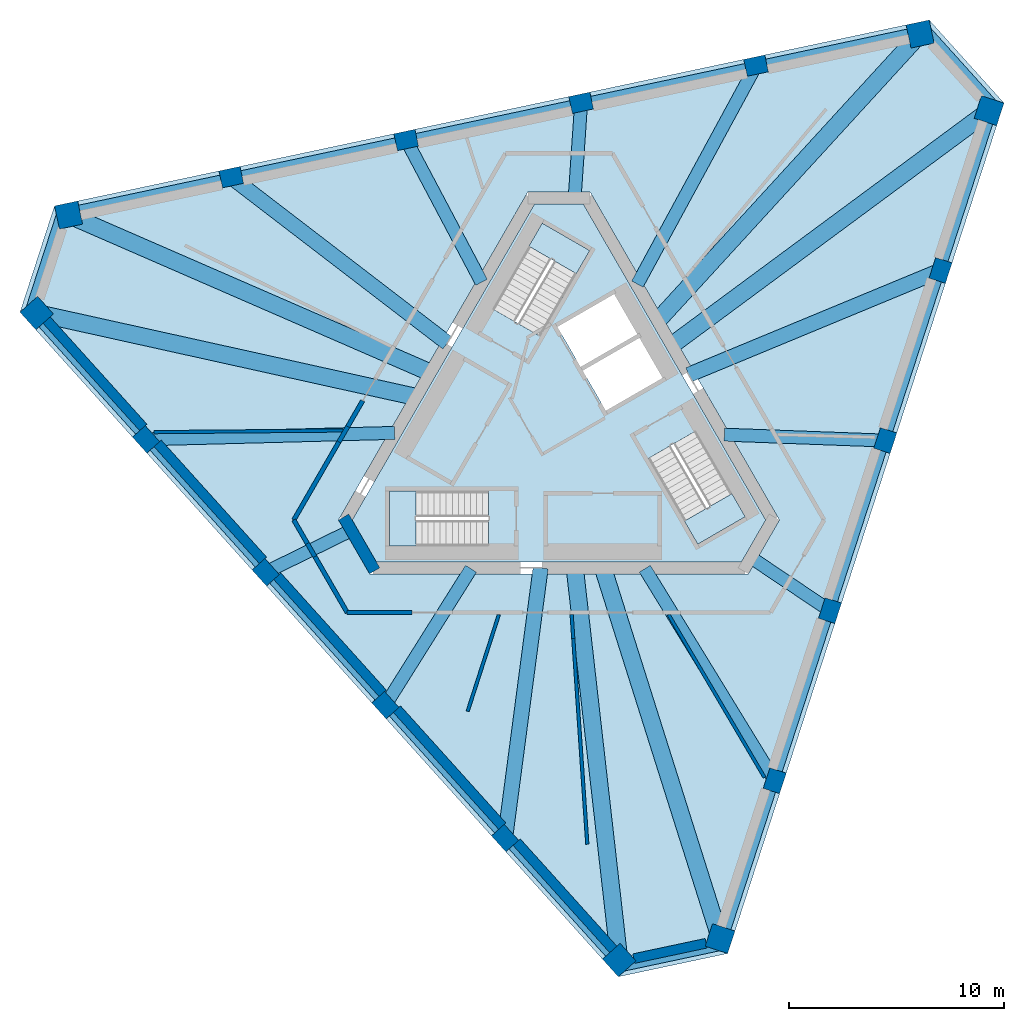
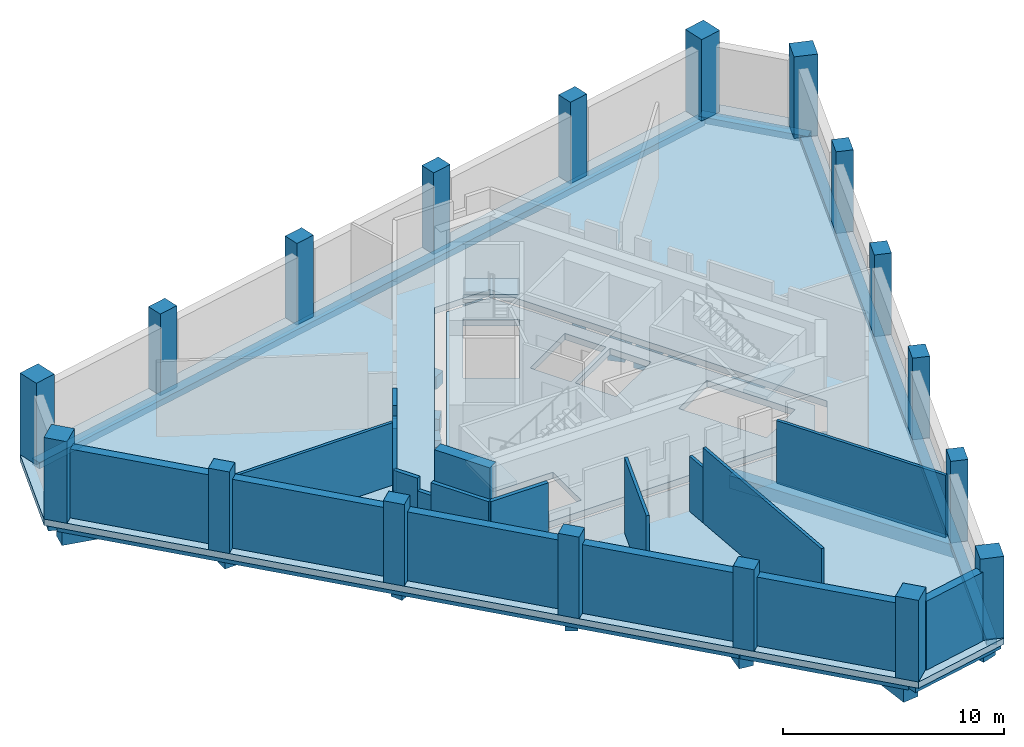
# One storey, part 1 of 5: 24 beams, 19 walls, 18 columns, 5 slabs, 3 elements without a shape of their own.
"""IFC4 building model written with IfcOpenShell, lengths in metres."""

from ifc_helpers import new_model, si_unit, direction, frame, frame_2d, origin, origin_2d, place, context, subcontext, project, spatial, polyline, rectangle, outline, extrude, material, layer, layer_set, material_profile, profile_set, type_object, element, aggregate, save


model = new_model("IFC4")

# Units and contexts
model_context = context("Model", 3, precision=1e-05, world=origin(), true_north=direction((0.0, 1.0)))
body_context = subcontext(model_context, "Body", "Model", "MODEL_VIEW")
ifc_project = project(units=[si_unit("LENGTHUNIT", "METRE"), si_unit("AREAUNIT", "SQUARE_METRE"), si_unit("VOLUMEUNIT", "CUBIC_METRE"), si_unit("PLANEANGLEUNIT", "RADIAN"), si_unit("MASSUNIT", "GRAM", prefix="KILO")], contexts=[model_context])

# Site, building, storey
site_placement = place(None, origin())
site = spatial("IfcSite", under=ifc_project, at=site_placement, CompositionType="ELEMENT")
building_placement = place(site_placement, origin())
building = spatial("IfcBuilding", under=site, at=building_placement, Name="Tramontana Tower", CompositionType="ELEMENT")
storey_placement = place(building_placement, frame((0.0, 0.0, 361.39990234375)))
storey = spatial("IfcBuildingStorey", under=building, at=storey_placement, Name="L83", CompositionType="ELEMENT", Elevation=361.39990234375)

# Columns
ifc_material_1 = material(Name="Concrete 55 MPa", Category="concrete")
ifc_material_profile_1 = material_profile(ifc_material_1, rectangle(XDim=1.10009765625, YDim=1.10009765625, at=origin_2d()), Name="Mega column 1100X1100 55 MPa")
ifc_profile_set_1 = profile_set([ifc_material_profile_1], Name="Concrete 55 MPa")
column_type_1 = type_object("IfcColumnType", Name="Mega column 1100X1100 55 MPa", PredefinedType="COLUMN", material=ifc_profile_set_1)
for number, where, z_axis, x_axis, name in (
    (1, (-24.278076171875, 5.368408203125, 0.0), (0.0, 0.0, 1.0), (0.669130606359, -0.743144825477, 0.0), "Mega column C8K1 L83"),
    (2, (2.80126953125, -24.706298828125, 0.0), (0.0, 0.0, 1.0), (0.669130606359, -0.743144825477, 0.0), "Mega column C8K2 L83"),
    (3, (7.489990234375, -23.70947265625, 0.0), (0.0, 0.0, 1.0), (0.309016994375, 0.951056516295, 0.0), "Mega column C8K3 L83"),
    (4, (19.99560546875, 14.779052734375, 0.0), (0.0, 0.0, 1.0), (0.309016994375, 0.951056516295, 0.0), "Mega column C8K4 L83"),
    (5, (16.7880859375, 18.34130859375, 0.0), (0.0, 0.0, 1.0), (-0.978147600734, -0.207911690818, 0.0), "Mega column C8K5 L83"),
    (6, (-22.796875, 9.92724609375, 0.0), (0.0, 0.0, 1.0), (-0.978147600734, -0.207911690818, 0.0), "Mega column C8K6 L83"),
):
    element("IfcColumn", number, at=place(storey_placement, frame(where, z_axis=z_axis, x_axis=x_axis)), inside=storey, type_object=column_type_1, Name=name, PredefinedType="COLUMN", context=body_context, shape_type="SweptSolid", body=[
        extrude(rectangle(XDim=1.10009765625, YDim=1.10009765625, at=origin_2d()), origin(), (0.0, 0.0, 1.0), 4.5),
    ])
ifc_material_2 = material(Name="Concrete 55 MPa", Category="concrete")
ifc_material_profile_2 = material_profile(ifc_material_2, rectangle(XDim=1.0, YDim=0.800048828125, at=origin_2d()), Name="Pier column 1000X800 55 MPa")
ifc_profile_set_2 = profile_set([ifc_material_profile_2], Name="Concrete 55 MPa")
column_type_2 = type_object("IfcColumnType", Name="Pier column 1000X800 55 MPa", PredefinedType="COLUMN", material=ifc_profile_set_2)
for number, where, z_axis, x_axis, name in (
    (7, (-19.194580078125, -0.501708984375, 0.0), (0.0, 0.0, 1.0), (0.669130606359, -0.743144825477, 0.0), "Pier column C8F01 L83"),
    (8, (-13.63134765625, -6.68017578125, 0.0), (0.0, 0.0, 1.0), (0.669130606359, -0.743144825477, 0.0), "Pier column C8F02 L83"),
    (9, (-8.068359375, -12.8583984375, 0.0), (0.0, 0.0, 1.0), (0.669130606359, -0.743144825477, 0.0), "Pier column C8F03 L83"),
    (10, (-2.50537109375, -19.036865234375, 0.0), (0.0, 0.0, 1.0), (0.669130606359, -0.743144825477, 0.0), "Pier column C8F04 L83"),
    (11, (10.03173828125, -16.3720703125, 0.0), (0.0, 0.0, 1.0), (0.309016994375, 0.951056516295, 0.0), "Pier column C8F05 L83"),
    (12, (12.600830078125, -8.465087890625, 0.0), (0.0, 0.0, 1.0), (0.309016994375, 0.951056516295, 0.0), "Pier column C8F06 L83"),
    (13, (15.169921875, -0.55810546875, 0.0), (0.0, 0.0, 1.0), (0.309016994375, 0.951056516295, 0.0), "Pier column C8F07 L83"),
    (14, (17.739013671875, 7.348876953125, 0.0), (0.0, 0.0, 1.0), (0.309016994375, 0.951056516295, 0.0), "Pier column C8F08 L83"),
    (15, (9.162841796875, 16.873779296875, 0.0), (0.0, 0.0, 1.0), (-0.978147600734, -0.207911690818, 0.0), "Pier column C8F09 L83"),
    (16, (1.030517578125, 15.145263671875, 0.0), (0.0, 0.0, 1.0), (-0.978147600734, -0.207911690818, 0.0), "Pier column C8F10 L83"),
    (17, (-7.1015625, 13.416748046875, 0.0), (0.0, 0.0, 1.0), (-0.978147600734, -0.207911690818, 0.0), "Pier column C8F11 L83"),
    (18, (-15.233642578125, 11.688232421875, 0.0), (0.0, 0.0, 1.0), (-0.978147600734, -0.207911690818, 0.0), "Pier column C8F12 L83"),
):
    element("IfcColumn", number, at=place(storey_placement, frame(where, z_axis=z_axis, x_axis=x_axis)), inside=storey, type_object=column_type_2, Name=name, PredefinedType="COLUMN", context=body_context, shape_type="SweptSolid", body=[
        extrude(rectangle(XDim=1.0, YDim=0.800048828125, at=origin_2d()), origin(), (0.0, 0.0, 1.0), 4.5),
    ])

# Beams
ifc_material_3 = material(Name="Concrete 40 MPa", Category="concrete")
ifc_material_profile_3 = material_profile(ifc_material_3, rectangle(XDim=0.5, YDim=0.35009765625, at=origin_2d()), Name="RC EDGE BEAM 500X350 40 MPa")
ifc_profile_set_3 = profile_set([ifc_material_profile_3], Name="Concrete 40 MPa")
beam_type_1 = type_object("IfcBeamType", Name="RC EDGE BEAM 500X350 40 MPa", PredefinedType="SPANDREL", material=ifc_profile_set_3)
for number, where, z_axis, x_axis, name in (
    (19, (-24.352294921875, 5.301513671875, -0.52490234375), (0.669126699639, -0.743148343086, 0.0), (0.743148343086, 0.669126699639, 0.0), "Spandrel beam S0 L83"),
    (20, (7.5849609375, -23.740478515625, -0.52490234375), (0.309021003975, 0.951055213488, 0.0), (-0.951055213488, 0.309021003975, 0.0), "Spandrel beam S1 L83"),
):
    element("IfcBeam", number, at=place(storey_placement, frame(where, z_axis=z_axis, x_axis=x_axis)), inside=storey, type_object=beam_type_1, Name=name, PredefinedType="SPANDREL", context=body_context, shape_type="SweptSolid", body=[
        extrude(rectangle(XDim=0.5, YDim=0.35009765625, at=origin_2d()), origin(), (0.0, 0.0, 1.0), 40.46923828125),
    ])
beam_1_placement = place(storey_placement, frame((16.767333984375, 18.439208984375, -0.52490234375), z_axis=(-0.978146276815, -0.20791791927, 0.0), x_axis=(0.20791791927, -0.978146276815, 0.0)))
element("IfcBeam", 21, at=beam_1_placement, inside=storey, type_object=beam_type_1, Name="Spandrel beam S2 L83", PredefinedType="SPANDREL", context=body_context, shape_type="SweptSolid", body=[
    extrude(rectangle(XDim=0.5, YDim=0.35009765625, at=origin_2d()), origin(), (0.0, 0.0, 1.0), 40.469482421875),
])
beam_2_placement = place(storey_placement, frame((-23.02099609375, 10.2119140625, -0.52490234375), z_axis=(-0.309015953557, -0.951056854477, 0.0), x_axis=(0.951056854477, -0.309015953557, 0.0)))
element("IfcBeam", 22, at=beam_2_placement, inside=storey, type_object=beam_type_1, Name="Spandrel beam K0 L83", PredefinedType="SPANDREL", context=body_context, shape_type="SweptSolid", body=[
    extrude(rectangle(XDim=0.5, YDim=0.35009765625, at=origin_2d()), origin(), (0.0, 0.0, 1.0), 5.1962890625),
])
for number, where, z_axis, x_axis, name in (
    (23, (2.6669921875, -25.042724609375, -0.52490234375), (0.97814762463, 0.207911578393, 0.0), (-0.207911578393, 0.97814762463, 0.0), "Spandrel beam K1 L83"),
    (24, (20.354248046875, 14.8310546875, -0.52490234375), (-0.66916199362, 0.74311656306, 0.0), (-0.74311656306, -0.66916199362, 0.0), "Spandrel beam K2 L83"),
):
    element("IfcBeam", number, at=place(storey_placement, frame(where, z_axis=z_axis, x_axis=x_axis)), inside=storey, type_object=beam_type_1, Name=name, PredefinedType="SPANDREL", context=body_context, shape_type="SweptSolid", body=[
        extrude(rectangle(XDim=0.5, YDim=0.35009765625, at=origin_2d()), origin(), (0.0, 0.0, 1.0), 5.196044921875),
    ])
ifc_material_4 = material(Name="Concrete 40 MPa", Category="concrete")
ifc_material_profile_4 = material_profile(ifc_material_4, rectangle(XDim=0.60009765625, YDim=0.699951171875, at=origin_2d()), Name="RC GIRDER 600X700 40 MPa")
ifc_profile_set_4 = profile_set([ifc_material_profile_4], Name="Concrete 40 MPa")
beam_type_2 = type_object("IfcBeamType", Name="RC GIRDER 600X700 40 MPa", PredefinedType="BEAM", material=ifc_profile_set_4)
beam_3_placement = place(storey_placement, frame((-19.194580078125, -0.501708984375, -0.699951171875), z_axis=(0.999658682192, 0.026125066864, 0.0), x_axis=(-0.026125066864, 0.999658682192, 0.0)))
element("IfcBeam", 25, at=beam_3_placement, inside=storey, type_object=beam_type_2, Name="Radial girder C8F01 L83", PredefinedType="BEAM", context=body_context, shape_type="SweptSolid", body=[
    extrude(rectangle(XDim=0.60009765625, YDim=0.699951171875, at=origin_2d()), origin(), (0.0, 0.0, 1.0), 11.559814453125),
])
beam_4_placement = place(storey_placement, frame((-13.63134765625, -6.68017578125, -0.699951171875), z_axis=(0.897959158445, 0.440078799496, 0.0), x_axis=(-0.440078799496, 0.897959158445, 0.0)))
element("IfcBeam", 26, at=beam_4_placement, inside=storey, type_object=beam_type_2, Name="Radial girder C8F02 L83", PredefinedType="BEAM", context=body_context, shape_type="SweptSolid", body=[
    extrude(rectangle(XDim=0.60009765625, YDim=0.699951171875, at=origin_2d()), origin(), (0.0, 0.0, 1.0), 4.4296875),
])
beam_5_placement = place(storey_placement, frame((-8.068359375, -12.8583984375, -0.699951171875), z_axis=(0.531504835363, 0.847055257929, 0.0), x_axis=(-0.847055257929, 0.531504835363, 0.0)))
element("IfcBeam", 27, at=beam_5_placement, inside=storey, type_object=beam_type_2, Name="Radial girder C8F03 L83", PredefinedType="BEAM", context=body_context, shape_type="SweptSolid", body=[
    extrude(rectangle(XDim=0.60009765625, YDim=0.699951171875, at=origin_2d()), origin(), (0.0, 0.0, 1.0), 7.486328125),
])
beam_6_placement = place(storey_placement, frame((10.03173828125, -16.3720703125, -0.699951171875), z_axis=(-0.522458548495, 0.852664685034, 0.0), x_axis=(-0.852664685034, -0.522458548495, 0.0)))
element("IfcBeam", 28, at=beam_6_placement, inside=storey, type_object=beam_type_2, Name="Radial girder C8F05 L83", PredefinedType="BEAM", context=body_context, shape_type="SweptSolid", body=[
    extrude(rectangle(XDim=0.60009765625, YDim=0.699951171875, at=origin_2d()), origin(), (0.0, 0.0, 1.0), 11.559814453125),
])
beam_7_placement = place(storey_placement, frame((12.600830078125, -8.465087890625, -0.699951171875), z_axis=(-0.830077902204, 0.557647448011, 0.0), x_axis=(-0.557647448011, -0.830077902204, 0.0)))
element("IfcBeam", 29, at=beam_7_placement, inside=storey, type_object=beam_type_2, Name="Radial girder C8F06 L83", PredefinedType="BEAM", context=body_context, shape_type="SweptSolid", body=[
    extrude(rectangle(XDim=0.60009765625, YDim=0.699951171875, at=origin_2d()), origin(), (0.0, 0.0, 1.0), 4.4296875),
])
beam_8_placement = place(storey_placement, frame((15.169921875, -0.55810546875, -0.699951171875), z_axis=(-0.999324360611, 0.036753534393, 0.0), x_axis=(-0.036753534393, -0.999324360611, 0.0)))
element("IfcBeam", 30, at=beam_8_placement, inside=storey, type_object=beam_type_2, Name="Radial girder C8F07 L83", PredefinedType="BEAM", context=body_context, shape_type="SweptSolid", body=[
    extrude(rectangle(XDim=0.60009765625, YDim=0.699951171875, at=origin_2d()), origin(), (0.0, 0.0, 1.0), 7.486328125),
])
beam_9_placement = place(storey_placement, frame((9.16259765625, 16.873779296875, -0.699951171875), z_axis=(-0.477185075818, -0.87880282397, 0.0), x_axis=(0.87880282397, -0.477185075818, 0.0)))
element("IfcBeam", 31, at=beam_9_placement, inside=storey, type_object=beam_type_2, Name="Radial girder C8F09 L83", PredefinedType="BEAM", context=body_context, shape_type="SweptSolid", body=[
    extrude(rectangle(XDim=0.60009765625, YDim=0.699951171875, at=origin_2d()), origin(), (0.0, 0.0, 1.0), 11.559814453125),
])
beam_10_placement = place(storey_placement, frame((1.030517578125, 15.145263671875, -0.699951171875), z_axis=(-0.067897965918, -0.997692270304, 0.0), x_axis=(0.997692270304, -0.067897965918, 0.0)))
element("IfcBeam", 32, at=beam_10_placement, inside=storey, type_object=beam_type_2, Name="Radial girder C8F10 L83", PredefinedType="BEAM", context=body_context, shape_type="SweptSolid", body=[
    extrude(rectangle(XDim=0.60009765625, YDim=0.699951171875, at=origin_2d()), origin(), (0.0, 0.0, 1.0), 4.429931640625),
])
beam_11_placement = place(storey_placement, frame((-7.1015625, 13.416748046875, -0.699951171875), z_axis=(0.467808305742, -0.883829954843, 0.0), x_axis=(0.883829954843, 0.467808305742, 0.0)))
element("IfcBeam", 33, at=beam_11_placement, inside=storey, type_object=beam_type_2, Name="Radial girder C8F11 L83", PredefinedType="BEAM", context=body_context, shape_type="SweptSolid", body=[
    extrude(rectangle(XDim=0.60009765625, YDim=0.699951171875, at=origin_2d()), origin(), (0.0, 0.0, 1.0), 7.486328125),
])
ifc_material_5 = material(Name="Concrete 40 MPa", Category="concrete")
ifc_material_profile_5 = material_profile(ifc_material_5, rectangle(XDim=0.699951171875, YDim=0.89990234375, at=origin_2d()), Name="RC GIRDER 700X900 40 MPa")
ifc_profile_set_5 = profile_set([ifc_material_profile_5], Name="Concrete 40 MPa")
beam_type_3 = type_object("IfcBeamType", Name="RC GIRDER 700X900 40 MPa", PredefinedType="BEAM", material=ifc_profile_set_5)
beam_12_placement = place(storey_placement, frame((-2.50537109375, -19.036865234375, -0.7998046875), z_axis=(0.130493398369, 0.991449178214, 0.0), x_axis=(-0.991449178214, 0.130493398369, 0.0)))
element("IfcBeam", 34, at=beam_12_placement, inside=storey, type_object=beam_type_3, Name="Radial girder C8F04 L83", PredefinedType="BEAM", context=body_context, shape_type="SweptSolid", body=[
    extrude(rectangle(XDim=0.699951171875, YDim=0.89990234375, at=origin_2d()), origin(), (0.0, 0.0, 1.0), 12.66796875),
])
beam_13_placement = place(storey_placement, frame((17.739013671875, 7.348876953125, -0.7998046875), z_axis=(-0.923857326556, -0.382737037885, 0.0), x_axis=(0.382737037885, -0.923857326556, 0.0)))
element("IfcBeam", 35, at=beam_13_placement, inside=storey, type_object=beam_type_3, Name="Radial girder C8F08 L83", PredefinedType="BEAM", context=body_context, shape_type="SweptSolid", body=[
    extrude(rectangle(XDim=0.699951171875, YDim=0.89990234375, at=origin_2d()), origin(), (0.0, 0.0, 1.0), 12.667724609375),
])
beam_14_placement = place(storey_placement, frame((-15.23388671875, 11.68798828125, -0.7998046875), z_axis=(0.793386383047, -0.608718364431, 0.0), x_axis=(0.608718364431, 0.793386383047, 0.0)))
element("IfcBeam", 36, at=beam_14_placement, inside=storey, type_object=beam_type_3, Name="Radial girder C8F12 L83", PredefinedType="BEAM", context=body_context, shape_type="SweptSolid", body=[
    extrude(rectangle(XDim=0.699951171875, YDim=0.89990234375, at=origin_2d()), origin(), (0.0, 0.0, 1.0), 12.66796875),
])
ifc_material_6 = material(Name="Concrete 40 MPa", Category="concrete")
ifc_material_profile_6 = material_profile(ifc_material_6, rectangle(XDim=0.800048828125, YDim=1.10009765625, at=origin_2d()), Name="RC GIRDER 800X1100 40 MPa")
ifc_profile_set_6 = profile_set([ifc_material_profile_6], Name="Concrete 40 MPa")
beam_type_4 = type_object("IfcBeamType", Name="RC GIRDER 800X1100 40 MPa", PredefinedType="BEAM", material=ifc_profile_set_6)
beam_15_placement = place(storey_placement, frame((-24.278076171875, 5.368408203125, -0.89990234375), z_axis=(0.976414256624, -0.215905533653, 0.0), x_axis=(0.215905533653, 0.976414256624, 0.0)))
element("IfcBeam", 37, at=beam_15_placement, inside=storey, type_object=beam_type_4, Name="Radial girder C8K1 L83", PredefinedType="BEAM", context=body_context, shape_type="SweptSolid", body=[
    extrude(rectangle(XDim=0.800048828125, YDim=1.10009765625, at=origin_2d()), origin(), (0.0, 0.0, 1.0), 18.060791015625),
])
beam_16_placement = place(storey_placement, frame((2.80126953125, -24.706298828125, -0.89990234375), z_axis=(-0.112660068087, 0.993633588934, 0.0), x_axis=(-0.993633588934, -0.112660068087, 0.0)))
element("IfcBeam", 38, at=beam_16_placement, inside=storey, type_object=beam_type_4, Name="Radial girder C8K2 L83", PredefinedType="BEAM", context=body_context, shape_type="SweptSolid", body=[
    extrude(rectangle(XDim=0.800048828125, YDim=1.10009765625, at=origin_2d()), origin(), (0.0, 0.0, 1.0), 18.34619140625),
])
beam_17_placement = place(storey_placement, frame((7.489990234375, -23.709716796875, -0.89990234375), z_axis=(-0.301228407795, 0.953552015538, 0.0), x_axis=(-0.953552015538, -0.301228407795, 0.0)))
element("IfcBeam", 39, at=beam_17_placement, inside=storey, type_object=beam_type_4, Name="Radial girder C8K3 L83", PredefinedType="BEAM", context=body_context, shape_type="SweptSolid", body=[
    extrude(rectangle(XDim=0.800048828125, YDim=1.10009765625, at=origin_2d()), origin(), (0.0, 0.0, 1.0), 18.060791015625),
])
beam_18_placement = place(storey_placement, frame((19.99560546875, 14.779052734375, -0.89990234375), z_axis=(-0.804178630494, -0.594387693562, 0.0), x_axis=(0.594387693562, -0.804178630494, 0.0)))
element("IfcBeam", 40, at=beam_18_placement, inside=storey, type_object=beam_type_4, Name="Radial girder C8K4 L83", PredefinedType="BEAM", context=body_context, shape_type="SweptSolid", body=[
    extrude(rectangle(XDim=0.800048828125, YDim=1.10009765625, at=origin_2d()), origin(), (0.0, 0.0, 1.0), 18.34619140625),
])
beam_19_placement = place(storey_placement, frame((16.7880859375, 18.34130859375, -0.89990234375), z_axis=(-0.675183941423, -0.737649405371, 0.0), x_axis=(0.737649405371, -0.675183941423, 0.0)))
element("IfcBeam", 41, at=beam_19_placement, inside=storey, type_object=beam_type_4, Name="Radial girder C8K5 L83", PredefinedType="BEAM", context=body_context, shape_type="SweptSolid", body=[
    extrude(rectangle(XDim=0.800048828125, YDim=1.10009765625, at=origin_2d()), origin(), (0.0, 0.0, 1.0), 18.060791015625),
])
beam_20_placement = place(storey_placement, frame((-22.796875, 9.92724609375, -0.89990234375), z_axis=(0.916837391717, -0.399260813441, 0.0), x_axis=(0.399260813441, 0.916837391717, 0.0)))
element("IfcBeam", 42, at=beam_20_placement, inside=storey, type_object=beam_type_4, Name="Radial girder C8K6 L83", PredefinedType="BEAM", context=body_context, shape_type="SweptSolid", body=[
    extrude(rectangle(XDim=0.800048828125, YDim=1.10009765625, at=origin_2d()), origin(), (0.0, 0.0, 1.0), 18.34619140625),
])

# Slabs
ifc_material_7 = material(Name="Concrete 40 MPa", Category="concrete")
ifc_layer_1 = layer(ifc_material_7, 0.35009765625)
ifc_layer_set_1 = layer_set([ifc_layer_1], Name="PT FLAT SLAB 350 40 MPa")
slab_type_1 = type_object("IfcSlabType", Name="PT FLAT SLAB 350 40 MPa", PredefinedType="FLOOR", material=ifc_layer_set_1)
slab_1_placement = place(storey_placement, frame((0.0, 0.0, -0.349853515625)))
element("IfcSlab", 43, at=slab_1_placement, inside=storey, type_object=slab_type_1, Name="Floor slab L83", PredefinedType="FLOOR", context=body_context, shape_type="SweptSolid", body=[
    extrude(outline(polyline([(20.688720703125, 15.132080078125), (7.843017578125, -24.402587890625), (2.760498046875, -25.48291015625), (-25.0546875, 5.408935546875), (-23.44921875, 10.350830078125), (17.211669921875, 18.99365234375), (20.688720703125, 15.132080078125)]), holes=[polyline([(-10.248046875, -4.25), (-8.8046875, -6.75), (8.8046875, -6.75), (10.248046875, -4.25), (1.443359375, 11.0), (-1.443359375, 11.0), (-10.248046875, -4.25)])]), origin(), (0.0, 0.0, 1.0), 0.349853515625),
])
slab_2_placement = place(storey_placement, frame((0.0, 0.0, -0.349853515625)))
element("IfcSlab", 44, at=slab_2_placement, inside=storey, type_object=slab_type_1, Name="Core floor slab L83", PredefinedType="FLOOR", context=body_context, shape_type="SweptSolid", body=[
    extrude(outline(polyline([(9.61279296875, -4.25), (8.487060546875, -6.199951171875), (-8.487060546875, -6.199951171875), (-9.61279296875, -4.25), (-1.125732421875, 10.449951171875), (1.125732421875, 10.449951171875), (9.61279296875, -4.25)]), holes=[polyline([(6.35986328125, -0.115478515625), (4.151611328125, -1.390625), (6.451416015625, -5.374267578125), (8.659912109375, -4.099365234375), (6.35986328125, -0.115478515625)]), polyline([(1.101806640625, 2.69140625), (2.177001953125, 0.82958984375), (4.90478515625, 2.404541015625), (3.829833984375, 4.2666015625), (1.101806640625, 2.69140625)]), polyline([(2.65478515625, 6.3017578125), (-0.072998046875, 4.726806640625), (1.001953125, 2.86474609375), (3.729736328125, 4.439697265625), (2.65478515625, 6.3017578125)]), polyline([(-0.77978515625, 9.54931640625), (-3.079833984375, 5.565673828125), (-0.87158203125, 4.29052734375), (1.428466796875, 8.2744140625), (-0.77978515625, 9.54931640625)]), polyline([(-3.280029296875, -5.449951171875), (-3.280029296875, -2.89990234375), (-7.8798828125, -2.89990234375), (-7.8798828125, -5.449951171875), (-3.280029296875, -5.449951171875)])]), origin(), (0.0, 0.0, 1.0), 0.349853515625),
])

# Stair, slab
ifc_material_8 = material(Name="Concrete 40 MPa", Category="concrete")
stair_type = type_object("IfcStairType", Name="EXIT STAIR 26 RISERS", PredefinedType="HALF_TURN_STAIR", material=ifc_material_8)
stair_1_placement = place(storey_placement, origin())
stair_1 = element("IfcStair", 45, at=stair_1_placement, inside=storey, type_object=stair_type, Name="L83 Exit stair ST1", PredefinedType="HALF_TURN_STAIR")
ifc_material_9 = material(Name="Concrete 40 MPa", Category="concrete")
ifc_layer_2 = layer(ifc_material_9, 0.199951171875)
ifc_layer_set_2 = layer_set([ifc_layer_2], Name="STAIR LANDING 200")
slab_type_2 = type_object("IfcSlabType", Name="STAIR LANDING 200", PredefinedType="LANDING", material=ifc_layer_set_2)
slab_3_placement = place(storey_placement, frame((0.0, 0.0, 2.050048828125)))
slab_3 = element("IfcSlab", 46, at=slab_3_placement, type_object=slab_type_2, Name="ST1 landing 1", PredefinedType="LANDING", context=body_context, shape_type="SweptSolid", body=[
    extrude(outline(polyline([(0.80859375, 7.200439453125), (1.428466796875, 8.274169921875), (-0.77978515625, 9.54931640625), (-1.39990234375, 8.475341796875), (0.80859375, 7.200439453125)])), origin(), (0.0, 0.0, 1.0), 0.199951171875),
])
aggregate(stair_1, [slab_3])

stair_2_placement = place(storey_placement, origin())
stair_2 = element("IfcStair", 47, at=stair_2_placement, inside=storey, type_object=stair_type, Name="L83 Exit stair ST2", PredefinedType="HALF_TURN_STAIR")
slab_4_placement = place(storey_placement, frame((0.0, 0.0, 2.050048828125)))
slab_4 = element("IfcSlab", 48, at=slab_4_placement, type_object=slab_type_2, Name="ST2 landing 1", PredefinedType="LANDING", context=body_context, shape_type="SweptSolid", body=[
    extrude(outline(polyline([(-6.639892578125, -2.89990234375), (-7.8798828125, -2.89990234375), (-7.8798828125, -5.449951171875), (-6.639892578125, -5.449951171875), (-6.639892578125, -2.89990234375)])), origin(), (0.0, 0.0, 1.0), 0.199951171875),
])
aggregate(stair_2, [slab_4])

stair_3_placement = place(storey_placement, origin())
stair_3 = element("IfcStair", 49, at=stair_3_placement, inside=storey, type_object=stair_type, Name="L83 Exit stair ST3", PredefinedType="HALF_TURN_STAIR")
slab_5_placement = place(storey_placement, frame((0.0, 0.0, 2.050048828125)))
slab_5 = element("IfcSlab", 50, at=slab_5_placement, type_object=slab_type_2, Name="ST3 landing 1", PredefinedType="LANDING", context=body_context, shape_type="SweptSolid", body=[
    extrude(outline(polyline([(5.83154296875, -4.30029296875), (6.451416015625, -5.374267578125), (8.659912109375, -4.099365234375), (8.039794921875, -3.025390625), (5.83154296875, -4.30029296875)])), origin(), (0.0, 0.0, 1.0), 0.199951171875),
])
aggregate(stair_3, [slab_5])

# Walls
ifc_material_10 = material(Name="Concrete 70 MPa", Category="concrete")
ifc_layer_3 = layer(ifc_material_10, 0.550048828125)
ifc_layer_set_3 = layer_set([ifc_layer_3], Name="Core wall 550 70 MPa")
wall_type_1 = type_object("IfcWallType", Name="Core wall 550 70 MPa", PredefinedType="SHEAR", material=ifc_layer_set_3)
wall_1_placement = place(storey_placement, frame((-10.009765625, -4.112548828125, 0.0), z_axis=(0.0, 0.0, 1.0), x_axis=(0.499995765644, -0.866027848477, 0.0)))
element("IfcWall", 51, at=wall_1_placement, inside=storey, type_object=wall_type_1, Name="Core wall C2 L83", PredefinedType="SHEAR", context=body_context, shape_type="SweptSolid", body=[
    extrude(rectangle(XDim=2.88671875, YDim=0.550048828125, at=frame_2d((1.443359375, 0.0))), origin(), (0.0, 0.0, 1.0), 4.5),
])
ifc_material_11 = material(Name="Blockwork", Category="masonry")
ifc_layer_4 = layer(ifc_material_11, 0.199951171875)
ifc_layer_set_4 = layer_set([ifc_layer_4], Name="ENTRY WALL 200")
wall_type_2 = type_object("IfcWallType", Name="ENTRY WALL 200", PredefinedType="SOLIDWALL", material=ifc_layer_set_4)
wall_2_placement = place(storey_placement, frame((-6.837646484375, -8.550048828125, 0.0), z_axis=(0.0, 0.0, 1.0), x_axis=(-1.0, 0.0, 0.0)))
element("IfcWall", 52, at=wall_2_placement, inside=storey, type_object=wall_type_2, Name="Wall ew1-10", PredefinedType="SOLIDWALL", context=body_context, shape_type="SweptSolid", body=[
    extrude(rectangle(XDim=3.006103515625, YDim=0.199951171875, at=frame_2d((1.5029296875, 0.0))), origin(), (0.0, 0.0, 1.0), 4.150146484375),
])
wall_3_placement = place(storey_placement, frame((-9.84375, -8.550048828125, 0.0), z_axis=(0.0, 0.0, 1.0), x_axis=(-0.500003959331, 0.866023117852, 0.0)))
element("IfcWall", 53, at=wall_3_placement, inside=storey, type_object=wall_type_2, Name="Wall ew2-0", PredefinedType="SOLIDWALL", context=body_context, shape_type="SweptSolid", body=[
    extrude(rectangle(XDim=3.0029296875, YDim=0.199951171875, at=frame_2d((1.50146484375, 0.0))), origin(), (0.0, 0.0, 1.0), 4.150146484375),
])
wall_4_placement = place(storey_placement, frame((-11.34521484375, -5.949462890625, 0.0), z_axis=(0.0, 0.0, 1.0), x_axis=(-0.499993523031, 0.866029143232, 0.0)))
element("IfcWall", 54, at=wall_4_placement, inside=storey, type_object=wall_type_2, Name="Wall ew2-1", PredefinedType="SOLIDWALL", context=body_context, shape_type="SweptSolid", body=[
    extrude(rectangle(XDim=0.70166015625, YDim=0.199951171875, at=frame_2d((0.350830078125, 0.0))), origin(), (0.0, 0.0, 1.0), 3.4501953125),
])
wall_5_placement = place(storey_placement, frame((-11.696044921875, -5.341796875, 0.0), z_axis=(0.0, 0.0, 1.0), x_axis=(-0.500013012896, 0.866017890655, 0.0)))
element("IfcWall", 55, at=wall_5_placement, inside=storey, type_object=wall_type_2, Name="Wall ew2-2", PredefinedType="SOLIDWALL", context=body_context, shape_type="SweptSolid", body=[
    extrude(rectangle(XDim=1.2607421875, YDim=0.199951171875, at=frame_2d((0.63037109375, 0.0))), origin(), (0.0, 0.0, 1.0), 4.150146484375),
])
wall_6_placement = place(storey_placement, frame((-12.326416015625, -4.25, 0.0), z_axis=(0.0, 0.0, 1.0), x_axis=(0.499982771656, 0.866035350345, 0.0)))
element("IfcWall", 56, at=wall_6_placement, inside=storey, type_object=wall_type_2, Name="Wall ew3-0", PredefinedType="SOLIDWALL", context=body_context, shape_type="SweptSolid", body=[
    extrude(rectangle(XDim=4.194580078125, YDim=0.199951171875, at=frame_2d((2.09716796875, 0.0))), origin(), (0.0, 0.0, 1.0), 4.150146484375),
])
wall_7_placement = place(storey_placement, frame((-10.229248046875, -0.617431640625, 0.0), z_axis=(0.0, 0.0, 1.0), x_axis=(0.5001686003, 0.865928040471, 0.0)))
element("IfcWall", 57, at=wall_7_placement, inside=storey, type_object=wall_type_2, Name="Wall ew3-1", PredefinedType="SOLIDWALL", context=body_context, shape_type="SweptSolid", body=[
    extrude(rectangle(XDim=0.821044921875, YDim=0.199951171875, at=frame_2d((0.41064453125, 0.0))), origin(), (0.0, 0.0, 1.0), 3.4501953125),
])
wall_8_placement = place(storey_placement, frame((-9.818603515625, 0.093505859375, 0.0), z_axis=(0.0, 0.0, 1.0), x_axis=(0.500007335828, 0.866021168401, 0.0)))
element("IfcWall", 58, at=wall_8_placement, inside=storey, type_object=wall_type_2, Name="Wall ew3-2", PredefinedType="SOLIDWALL", context=body_context, shape_type="SweptSolid", body=[
    extrude(rectangle(XDim=1.384765625, YDim=0.199951171875, at=frame_2d((0.6923828125, 0.0))), origin(), (0.0, 0.0, 1.0), 4.150146484375),
])
ifc_material_12 = material(Name="Precast concrete 60 MPa", Category="concrete")
ifc_layer_5 = layer(ifc_material_12, 0.449951171875)
ifc_layer_set_5 = layer_set([ifc_layer_5], Name="Precast concrete 60 MPa, 450 mm")
wall_type_3 = type_object("IfcWallType", Name="EW1 Stone-faced precast wall 450", PredefinedType="SOLIDWALL", material=ifc_layer_set_5)
wall_9_placement = place(storey_placement, frame((-23.817138671875, 5.043212890625, 0.0), z_axis=(0.0, 0.0, 1.0), x_axis=(0.669137493687, -0.743138624041, 0.0)))
element("IfcWall", 59, at=wall_9_placement, inside=storey, type_object=wall_type_3, Name="Stone band wall L83 face 0s 1", PredefinedType="SOLIDWALL", context=body_context, shape_type="SweptSolid", body=[
    extrude(rectangle(XDim=6.7138671875, YDim=0.449951171875, at=frame_2d((3.35693359375, 0.0))), origin(), (0.0, 0.0, 1.0), 3.800048828125),
])
wall_10_placement = place(storey_placement, frame((-18.655517578125, -0.689208984375, 0.0), z_axis=(0.0, 0.0, 1.0), x_axis=(0.669117789535, -0.743156365598, 0.0)))
element("IfcWall", 60, at=wall_10_placement, inside=storey, type_object=wall_type_3, Name="Stone band wall L83 face 0s 2", PredefinedType="SOLIDWALL", context=body_context, shape_type="SweptSolid", body=[
    extrude(rectangle(XDim=7.313720703125, YDim=0.449951171875, at=frame_2d((3.65673828125, 0.0))), origin(), (0.0, 0.0, 1.0), 3.800048828125),
])
wall_11_placement = place(storey_placement, frame((-13.092529296875, -6.86767578125, 0.0), z_axis=(0.0, 0.0, 1.0), x_axis=(0.669136224502, -0.74313976684, 0.0)))
element("IfcWall", 61, at=wall_11_placement, inside=storey, type_object=wall_type_3, Name="Stone band wall L83 face 0s 3", PredefinedType="SOLIDWALL", context=body_context, shape_type="SweptSolid", body=[
    extrude(rectangle(XDim=7.31396484375, YDim=0.449951171875, at=frame_2d((3.656982421875, 0.0))), origin(), (0.0, 0.0, 1.0), 3.800048828125),
])
wall_12_placement = place(storey_placement, frame((-7.529541015625, -13.046142578125, 0.0), z_axis=(0.0, 0.0, 1.0), x_axis=(0.669152823362, -0.743124820597, 0.0)))
element("IfcWall", 62, at=wall_12_placement, inside=storey, type_object=wall_type_3, Name="Stone band wall L83 face 0s 4", PredefinedType="SOLIDWALL", context=body_context, shape_type="SweptSolid", body=[
    extrude(rectangle(XDim=7.313720703125, YDim=0.449951171875, at=frame_2d((3.65673828125, 0.0))), origin(), (0.0, 0.0, 1.0), 3.800048828125),
])
wall_13_placement = place(storey_placement, frame((-1.96630859375, -19.224365234375, 0.0), z_axis=(0.0, 0.0, 1.0), x_axis=(0.66911941145, -0.743154905266, 0.0)))
element("IfcWall", 63, at=wall_13_placement, inside=storey, type_object=wall_type_3, Name="Stone band wall L83 face 0s 5", PredefinedType="SOLIDWALL", context=body_context, shape_type="SweptSolid", body=[
    extrude(rectangle(XDim=6.7138671875, YDim=0.449951171875, at=frame_2d((3.35693359375, 0.0))), origin(), (0.0, 0.0, 1.0), 3.800048828125),
])
wall_14_placement = place(storey_placement, frame((3.4814453125, -24.6396484375, 0.0), z_axis=(0.0, 0.0, 1.0), x_axis=(0.978139158523, 0.207951404333, 0.0)))
element("IfcWall", 64, at=wall_14_placement, inside=storey, type_object=wall_type_3, Name="Stone band wall L83 face 1k 1", PredefinedType="SOLIDWALL", context=body_context, shape_type="SweptSolid", body=[
    extrude(rectangle(XDim=3.435302734375, YDim=0.449951171875, at=frame_2d((1.7177734375, 0.0))), origin(), (0.0, 0.0, 1.0), 3.800048828125),
])
ifc_material_13 = material(Name="Gypsum board partition")
ifc_layer_6 = layer(ifc_material_13, 0.14990234375)
ifc_layer_set_6 = layer_set([ifc_layer_6], Name="PARTITION 150")
wall_type_4 = type_object("IfcWallType", Name="PARTITION 150", PredefinedType="PARTITIONING", material=ifc_layer_set_6)
wall_15_placement = place(storey_placement, frame((-10.039794921875, -0.089111328125, 0.0), z_axis=(0.0, 0.0, 1.0), x_axis=(-0.999960441248, -0.00889471414, 0.0)))
element("IfcWall", 65, at=wall_15_placement, inside=storey, type_object=wall_type_4, Name="Wall fw-pw01-0", PredefinedType="PARTITIONING", context=body_context, shape_type="SweptSolid", body=[
    extrude(rectangle(XDim=8.783203125, YDim=0.14990234375, at=frame_2d((4.3916015625, 0.0))), origin(), (0.0, 0.0, 1.0), 3.4501953125),
])
wall_16_placement = place(storey_placement, frame((-2.793212890625, -8.650146484375, 0.0), z_axis=(0.0, 0.0, 1.0), x_axis=(-0.307297266893, -0.951613571656, 0.0)))
element("IfcWall", 66, at=wall_16_placement, inside=storey, type_object=wall_type_4, Name="Wall fw-pw04", PredefinedType="PARTITIONING", context=body_context, shape_type="SweptSolid", body=[
    extrude(rectangle(XDim=4.72314453125, YDim=0.14990234375, at=frame_2d((2.361572265625, 0.0))), origin(), (0.0, 0.0, 1.0), 4.150146484375),
])
wall_17_placement = place(storey_placement, frame((0.590087890625, -8.650146484375, 0.0), z_axis=(0.0, 0.0, 1.0), x_axis=(0.068118949161, -0.997677206698, 0.0)))
element("IfcWall", 67, at=wall_17_placement, inside=storey, type_object=wall_type_4, Name="Wall fw-pw05-0", PredefinedType="PARTITIONING", context=body_context, shape_type="SweptSolid", body=[
    extrude(rectangle(XDim=1.10400390625, YDim=0.14990234375, at=frame_2d((0.552001953125, 0.0))), origin(), (0.0, 0.0, 1.0), 3.050048828125),
])
wall_18_placement = place(storey_placement, frame((0.665283203125, -9.75146484375, 0.0), z_axis=(0.0, 0.0, 1.0), x_axis=(0.068072821069, -0.99768035514, 0.0)))
element("IfcWall", 68, at=wall_18_placement, inside=storey, type_object=wall_type_4, Name="Wall fw-pw05-1", PredefinedType="PARTITIONING", context=body_context, shape_type="SweptSolid", body=[
    extrude(rectangle(XDim=9.59375, YDim=0.14990234375, at=frame_2d((4.796875, 0.0))), origin(), (0.0, 0.0, 1.0), 4.150146484375),
])
wall_19_placement = place(storey_placement, frame((5.09716796875, -8.650146484375, 0.0), z_axis=(0.0, 0.0, 1.0), x_axis=(0.507661360347, -0.861556697618, 0.0)))
element("IfcWall", 69, at=wall_19_placement, inside=storey, type_object=wall_type_4, Name="Wall fw-pw06-0", PredefinedType="PARTITIONING", context=body_context, shape_type="SweptSolid", body=[
    extrude(rectangle(XDim=8.783447265625, YDim=0.14990234375, at=frame_2d((4.3916015625, 0.0))), origin(), (0.0, 0.0, 1.0), 3.4501953125),
])

save(model, "model.ifc")
